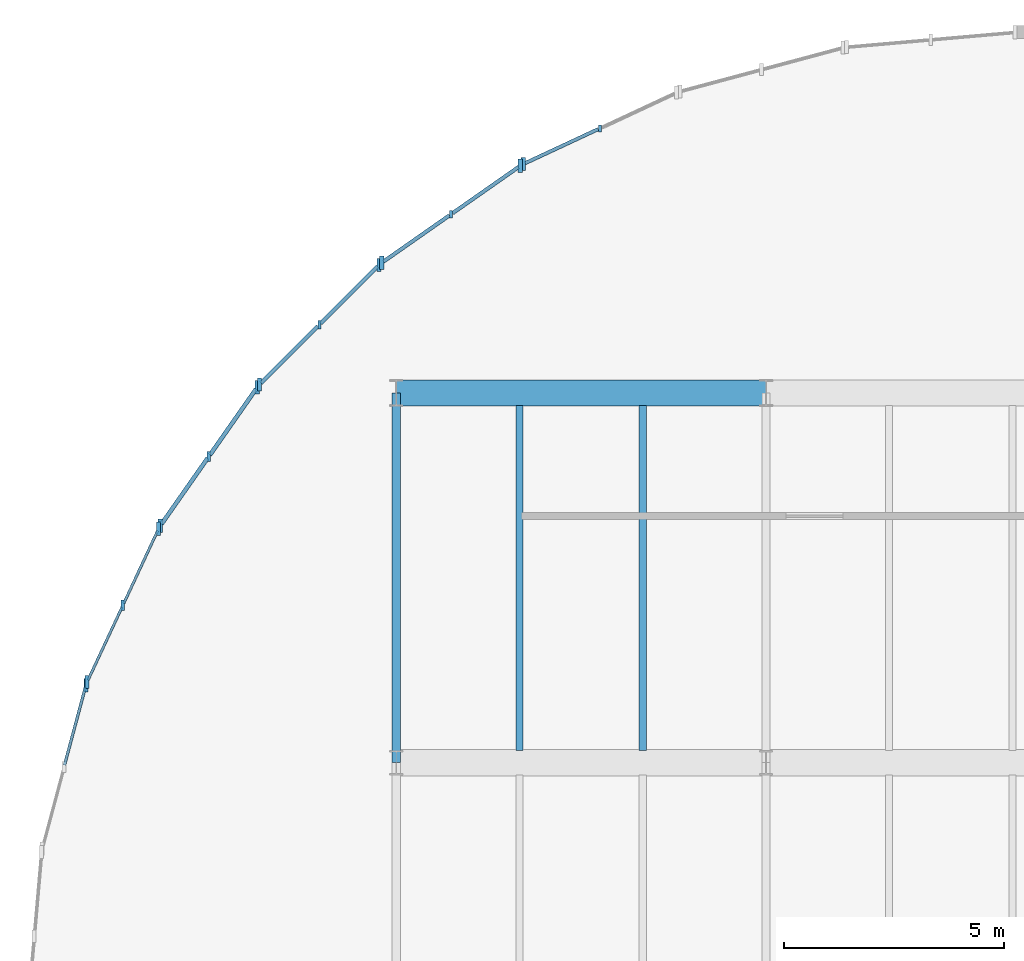
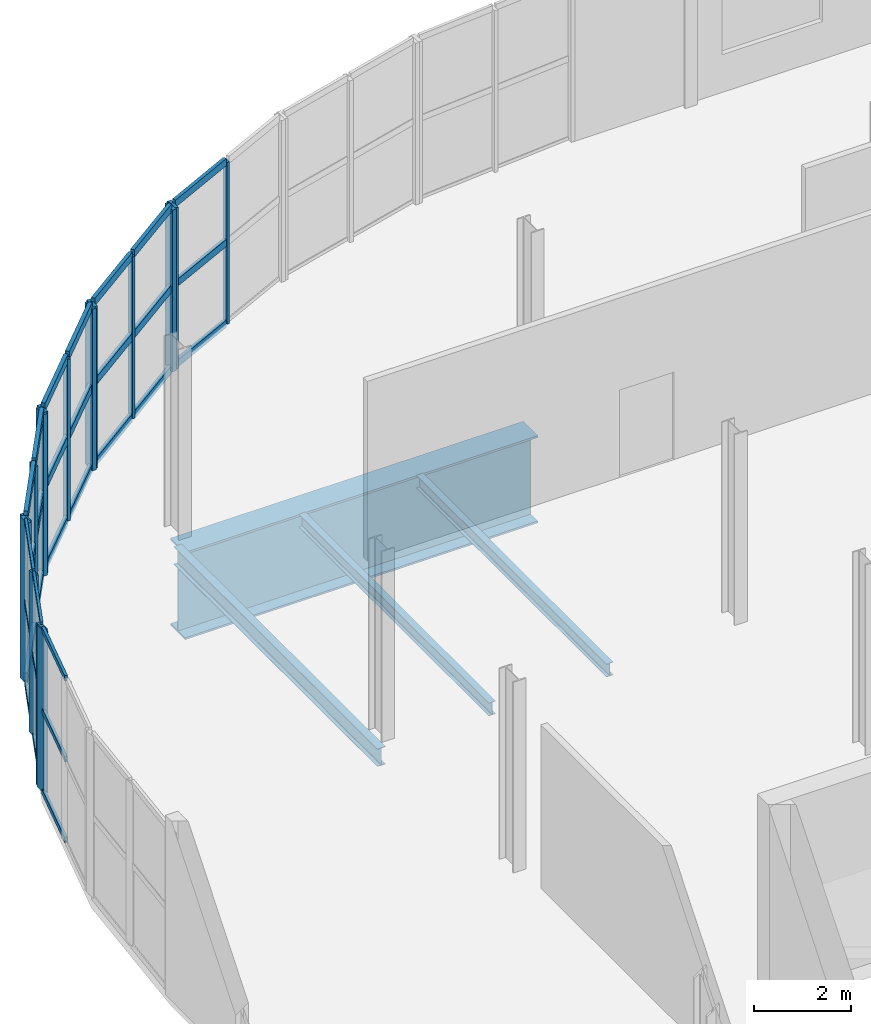
# One storey, part 26 of 63: 45 members, 4 beams, 6 elements without a shape of their own.
"""IFC4 building model written with IfcOpenShell, lengths in metres."""

from ifc_helpers import new_model, si_unit, direction, frame, origin, origin_2d, place, context, subcontext, project, spatial, rectangle, i_section, extrude, material, layer, layer_set, material_profile, profile_set, type_object, element, aggregate, save


model = new_model("IFC4")

# Units and contexts
model_context = context("Model", 3, precision=1e-05, world=origin(), true_north=direction((0.0, 1.0)))
body_context = subcontext(model_context, "Body", "Model", "MODEL_VIEW")
ifc_project = project(units=[si_unit("LENGTHUNIT", "METRE"), si_unit("AREAUNIT", "SQUARE_METRE"), si_unit("VOLUMEUNIT", "CUBIC_METRE"), si_unit("PLANEANGLEUNIT", "RADIAN"), si_unit("MASSUNIT", "GRAM", prefix="KILO")], contexts=[model_context])

# Site, building, storey
site_placement = place(None, origin())
site = spatial("IfcSite", under=ifc_project, at=site_placement, CompositionType="ELEMENT")
building_placement = place(site_placement, origin())
building = spatial("IfcBuilding", under=site, at=building_placement, Name="Sefraquen Railside Congress Hotel", CompositionType="ELEMENT")
storey_placement = place(building_placement, frame((0.0, 0.0, 11.39990234375)))
storey = spatial("IfcBuildingStorey", under=building, at=storey_placement, Name="L02", CompositionType="ELEMENT", Elevation=11.39990234375)

# Beams
ifc_material_1 = material(Name="Steel S355JR", Category="steel")
ifc_material_profile_1 = material_profile(ifc_material_1, i_section(OverallWidth=0.18994140625, OverallDepth=0.449951171875, WebThickness=0.009521484375, FlangeThickness=0.0146484375, FilletRadius=0.02099609375, at=origin_2d()), Name="IPE 450")
ifc_profile_set_1 = profile_set([ifc_material_profile_1], Name="Steel S355JR")
beam_type_1 = type_object("IfcBeamType", Name="TB-BM-450", PredefinedType="BEAM", material=ifc_profile_set_1)
beam_1_placement = place(storey_placement, frame((8.39990234375, 101.39990234375, -0.574951171875), z_axis=(0.0, 1.0, 0.0), x_axis=(-1.0, 0.0, 0.0)))
element("IfcBeam", 1, at=beam_1_placement, inside=storey, type_object=beam_type_1, Name="Floor beam BM-L02-0841", PredefinedType="BEAM", context=body_context, shape_type="SweptSolid", body=[
    extrude(i_section(OverallWidth=0.18994140625, OverallDepth=0.449951171875, WebThickness=0.009521484375, FlangeThickness=0.0146484375, FilletRadius=0.02099609375, at=origin_2d()), origin(), (0.0, 0.0, 1.0), 8.400146484375),
])
ifc_material_profile_2 = material_profile(ifc_material_1, i_section(OverallWidth=0.159912109375, OverallDepth=0.330078125, WebThickness=0.007568359375, FlangeThickness=0.011474609375, FilletRadius=0.01806640625, at=origin_2d()), Name="IPE 330")
ifc_profile_set_2 = profile_set([ifc_material_profile_2], Name="Steel S355JR")
beam_type_2 = type_object("IfcBeamType", Name="TB-JST-330", PredefinedType="JOIST", material=ifc_profile_set_2)
for number, where, z_axis, x_axis, name in (
    (2, (11.199951171875, 101.679931640625, -0.514892578125), (0.0, 1.0, 0.0), (-1.0, 0.0, 0.0), "Composite floor joist BM-L02-J0434"),
    (3, (14.0, 101.679931640625, -0.514892578125), (0.0, 1.0, 0.0), (-1.0, 0.0, 0.0), "Composite floor joist BM-L02-J0435"),
):
    element("IfcBeam", number, at=place(storey_placement, frame(where, z_axis=z_axis, x_axis=x_axis)), inside=storey, type_object=beam_type_2, Name=name, PredefinedType="JOIST", context=body_context, shape_type="SweptSolid", body=[
        extrude(i_section(OverallWidth=0.159912109375, OverallDepth=0.330078125, WebThickness=0.007568359375, FlangeThickness=0.011474609375, FilletRadius=0.01806640625, at=origin_2d()), origin(), (0.0, 0.0, 1.0), 7.840087890625),
    ])
ifc_material_2 = material(Name="Steel S355J2", Category="steel")
ifc_material_profile_3 = material_profile(ifc_material_2, i_section(OverallWidth=0.60009765625, OverallDepth=2.199951171875, WebThickness=0.028076171875, FlangeThickness=0.050048828125, at=origin_2d()), Name="WG 2200x600")
ifc_profile_set_3 = profile_set([ifc_material_profile_3], Name="Steel S355J2")
beam_type_3 = type_object("IfcBeamType", Name="TB-TG-2200", PredefinedType="USERDEFINED", material=ifc_profile_set_3)
beam_2_placement = place(storey_placement, frame((8.39990234375, 109.800048828125, -1.449951171875), z_axis=(1.0, 0.0, 0.0), x_axis=(0.0, 1.0, 0.0)))
element("IfcBeam", 4, at=beam_2_placement, inside=storey, type_object=beam_type_3, Name="Transfer girder BM-L02-0807", ObjectType="TRANSFER GIRDER", PredefinedType="USERDEFINED", context=body_context, shape_type="SweptSolid", body=[
    extrude(i_section(OverallWidth=0.60009765625, OverallDepth=2.199951171875, WebThickness=0.028076171875, FlangeThickness=0.050048828125, at=origin_2d()), origin(), (0.0, 0.0, 1.0), 8.400146484375),
])

# Curtain wall, member
ifc_material_3 = material(Name="Thermally broken anodised aluminium and low-E double glazing", Category="aluminium")
ifc_layer_1 = layer(ifc_material_3, 0.199951171875)
ifc_layer_set_1 = layer_set([ifc_layer_1], Name="Thermally broken anodised aluminium and low-E double glazing")
curtain_wall_type_1 = type_object("IfcCurtainWallType", Name="TCW-UCW-21", PredefinedType="USERDEFINED", material=ifc_layer_set_1)
curtain_wall_1_placement = place(storey_placement, origin())
curtain_wall_1 = element("IfcCurtainWall", 5, at=curtain_wall_1_placement, inside=storey, type_object=curtain_wall_type_1, Name="Rotunda L02 curved curtain wall facet 3", ObjectType="UNITISED CURTAIN WALL", PredefinedType="USERDEFINED")
ifc_material_4 = material(Name="Thermally broken anodised aluminium 6063-T6", Category="aluminium")
ifc_material_profile_4 = material_profile(ifc_material_4, rectangle(XDim=0.06005859375, YDim=0.159912109375, at=origin_2d()), Name="CWM 60x160")
ifc_profile_set_4 = profile_set([ifc_material_profile_4], Name="Thermally broken anodised aluminium 6063-T6")
member_type_1 = type_object("IfcMemberType", Name="TM-CWM-01", PredefinedType="MULLION", material=ifc_profile_set_4)
member_1_placement = place(storey_placement, frame((13.02734375, 115.814208984375, 0.0), z_axis=(0.0, 0.0, 1.0), x_axis=(1.0, 0.0, 0.0)))
member_1 = element("IfcMember", 6, at=member_1_placement, type_object=member_type_1, Name="CW-L02-ROT-03 mullion 2", PredefinedType="MULLION", context=body_context, shape_type="SweptSolid", body=[
    extrude(rectangle(XDim=0.06005859375, YDim=0.159912109375, at=origin_2d()), origin(), (0.0, 0.0, 1.0), 4.070068359375),
])

ifc_layer_2 = layer(ifc_material_3, 0.199951171875)
ifc_layer_set_2 = layer_set([ifc_layer_2], Name="Thermally broken anodised aluminium and low-E double glazing")
curtain_wall_type_2 = type_object("IfcCurtainWallType", Name="TCW-UCW-22", PredefinedType="USERDEFINED", material=ifc_layer_set_2)
curtain_wall_2_placement = place(storey_placement, origin())
curtain_wall_2 = element("IfcCurtainWall", 7, at=curtain_wall_2_placement, inside=storey, type_object=curtain_wall_type_2, Name="Rotunda L02 curved curtain wall facet 4", ObjectType="UNITISED CURTAIN WALL", PredefinedType="USERDEFINED")
ifc_material_profile_5 = material_profile(ifc_material_4, rectangle(XDim=0.06494140625, YDim=0.179931640625, at=origin_2d()), Name="CWM 65x180")
ifc_profile_set_5 = profile_set([ifc_material_profile_5], Name="Thermally broken anodised aluminium 6063-T6")
member_type_2 = type_object("IfcMemberType", Name="TM-CWM-02", PredefinedType="MULLION", material=ifc_profile_set_5)
member_2_placement = place(storey_placement, frame((9.643798828125, 113.86083984375, 0.0), z_axis=(0.0, 0.0, 1.0), x_axis=(1.0, 0.0, 0.0)))
member_2 = element("IfcMember", 8, at=member_2_placement, type_object=member_type_2, Name="CW-L02-ROT-04 mullion 2", PredefinedType="MULLION", context=body_context, shape_type="SweptSolid", body=[
    extrude(rectangle(XDim=0.06494140625, YDim=0.179931640625, at=origin_2d()), origin(), (0.0, 0.0, 1.0), 4.070068359375),
])

ifc_layer_3 = layer(ifc_material_3, 0.199951171875)
ifc_layer_set_3 = layer_set([ifc_layer_3], Name="Thermally broken anodised aluminium and low-E double glazing")
curtain_wall_type_3 = type_object("IfcCurtainWallType", Name="TCW-UCW-23", PredefinedType="USERDEFINED", material=ifc_layer_set_3)
curtain_wall_3_placement = place(storey_placement, origin())
curtain_wall_3 = element("IfcCurtainWall", 9, at=curtain_wall_3_placement, inside=storey, type_object=curtain_wall_type_3, Name="Rotunda L02 curved curtain wall facet 5", ObjectType="UNITISED CURTAIN WALL", PredefinedType="USERDEFINED")
ifc_material_profile_6 = material_profile(ifc_material_4, rectangle(XDim=0.070068359375, YDim=0.199951171875, at=origin_2d()), Name="CWM 70x200")
ifc_profile_set_6 = profile_set([ifc_material_profile_6], Name="Thermally broken anodised aluminium 6063-T6")
member_type_3 = type_object("IfcMemberType", Name="TM-CWM-03", PredefinedType="MULLION", material=ifc_profile_set_6)
member_3_placement = place(storey_placement, frame((6.650634765625, 111.349365234375, 0.0), z_axis=(0.0, 0.0, 1.0), x_axis=(1.0, 0.0, 0.0)))
member_3 = element("IfcMember", 10, at=member_3_placement, type_object=member_type_3, Name="CW-L02-ROT-05 mullion 2", PredefinedType="MULLION", context=body_context, shape_type="SweptSolid", body=[
    extrude(rectangle(XDim=0.070068359375, YDim=0.199951171875, at=origin_2d()), origin(), (0.0, 0.0, 1.0), 4.070068359375),
])

ifc_layer_4 = layer(ifc_material_3, 0.199951171875)
ifc_layer_set_4 = layer_set([ifc_layer_4], Name="Thermally broken anodised aluminium and low-E double glazing")
curtain_wall_type_4 = type_object("IfcCurtainWallType", Name="TCW-UCW-24", PredefinedType="USERDEFINED", material=ifc_layer_set_4)
curtain_wall_4_placement = place(storey_placement, origin())
curtain_wall_4 = element("IfcCurtainWall", 11, at=curtain_wall_4_placement, inside=storey, type_object=curtain_wall_type_4, Name="Rotunda L02 curved curtain wall facet 6", ObjectType="UNITISED CURTAIN WALL", PredefinedType="USERDEFINED")
ifc_material_profile_7 = material_profile(ifc_material_4, rectangle(XDim=0.074951171875, YDim=0.219970703125, at=origin_2d()), Name="CWM 75x220")
ifc_profile_set_7 = profile_set([ifc_material_profile_7], Name="Thermally broken anodised aluminium 6063-T6")
member_type_4 = type_object("IfcMemberType", Name="TM-CWM-04", PredefinedType="MULLION", material=ifc_profile_set_7)
member_4_placement = place(storey_placement, frame((4.13916015625, 108.356201171875, 0.0), z_axis=(0.0, 0.0, 1.0), x_axis=(1.0, 0.0, 0.0)))
member_4 = element("IfcMember", 12, at=member_4_placement, type_object=member_type_4, Name="CW-L02-ROT-06 mullion 2", PredefinedType="MULLION", context=body_context, shape_type="SweptSolid", body=[
    extrude(rectangle(XDim=0.074951171875, YDim=0.219970703125, at=origin_2d()), origin(), (0.0, 0.0, 1.0), 4.070068359375),
])

ifc_layer_5 = layer(ifc_material_3, 0.199951171875)
ifc_layer_set_5 = layer_set([ifc_layer_5], Name="Thermally broken anodised aluminium and low-E double glazing")
curtain_wall_type_5 = type_object("IfcCurtainWallType", Name="TCW-UCW-25", PredefinedType="USERDEFINED", material=ifc_layer_set_5)
curtain_wall_5_placement = place(storey_placement, origin())
curtain_wall_5 = element("IfcCurtainWall", 13, at=curtain_wall_5_placement, inside=storey, type_object=curtain_wall_type_5, Name="Rotunda L02 curved curtain wall facet 7", ObjectType="UNITISED CURTAIN WALL", PredefinedType="USERDEFINED")
ifc_material_profile_8 = material_profile(ifc_material_4, rectangle(XDim=0.080078125, YDim=0.239990234375, at=origin_2d()), Name="CWM 80x240")
ifc_profile_set_8 = profile_set([ifc_material_profile_8], Name="Thermally broken anodised aluminium 6063-T6")
member_type_5 = type_object("IfcMemberType", Name="TM-CWM-05", PredefinedType="MULLION", material=ifc_profile_set_8)
member_5_placement = place(storey_placement, frame((2.185546875, 104.972900390625, 0.0), z_axis=(0.0, 0.0, 1.0), x_axis=(1.0, 0.0, 0.0)))
member_5 = element("IfcMember", 14, at=member_5_placement, type_object=member_type_5, Name="CW-L02-ROT-07 mullion 2", PredefinedType="MULLION", context=body_context, shape_type="SweptSolid", body=[
    extrude(rectangle(XDim=0.080078125, YDim=0.239990234375, at=origin_2d()), origin(), (0.0, 0.0, 1.0), 4.070068359375),
])

# Member
ifc_material_profile_9 = material_profile(ifc_material_4, rectangle(XDim=0.094970703125, YDim=0.300048828125, at=origin_2d()), Name="CWM 95x300")
ifc_profile_set_9 = profile_set([ifc_material_profile_9], Name="Thermally broken anodised aluminium 6063-T6")
member_type_6 = type_object("IfcMemberType", Name="TM-CWM-08", PredefinedType="MULLION", material=ifc_profile_set_9)
member_6_placement = place(storey_placement, frame((11.286376953125, 115.00244140625, 0.0), z_axis=(0.0, 0.0, 1.0), x_axis=(1.0, 0.0, 0.0)))
member_6 = element("IfcMember", 15, at=member_6_placement, type_object=member_type_6, Name="CW-L02-ROT-03 mullion 3", PredefinedType="MULLION", context=body_context, shape_type="SweptSolid", body=[
    extrude(rectangle(XDim=0.094970703125, YDim=0.300048828125, at=origin_2d()), origin(), (0.0, 0.0, 1.0), 4.070068359375),
])

member_7_placement = place(storey_placement, frame((11.21728515625, 114.962646484375, 0.0), z_axis=(0.0, 0.0, 1.0), x_axis=(1.0, 0.0, 0.0)))
member_7 = element("IfcMember", 16, at=member_7_placement, type_object=member_type_6, Name="CW-L02-ROT-04 mullion 1", PredefinedType="MULLION", context=body_context, shape_type="SweptSolid", body=[
    extrude(rectangle(XDim=0.094970703125, YDim=0.300048828125, at=origin_2d()), origin(), (0.0, 0.0, 1.0), 4.070068359375),
])

member_8_placement = place(storey_placement, frame((8.070068359375, 112.7587890625, 0.0), z_axis=(0.0, 0.0, 1.0), x_axis=(1.0, 0.0, 0.0)))
member_8 = element("IfcMember", 17, at=member_8_placement, type_object=member_type_6, Name="CW-L02-ROT-04 mullion 3", PredefinedType="MULLION", context=body_context, shape_type="SweptSolid", body=[
    extrude(rectangle(XDim=0.094970703125, YDim=0.300048828125, at=origin_2d()), origin(), (0.0, 0.0, 1.0), 4.070068359375),
])

member_9_placement = place(storey_placement, frame((8.009033203125, 112.707763671875, 0.0), z_axis=(0.0, 0.0, 1.0), x_axis=(1.0, 0.0, 0.0)))
member_9 = element("IfcMember", 18, at=member_9_placement, type_object=member_type_6, Name="CW-L02-ROT-05 mullion 1", PredefinedType="MULLION", context=body_context, shape_type="SweptSolid", body=[
    extrude(rectangle(XDim=0.094970703125, YDim=0.300048828125, at=origin_2d()), origin(), (0.0, 0.0, 1.0), 4.070068359375),
])

member_10_placement = place(storey_placement, frame((5.292236328125, 109.990966796875, 0.0), z_axis=(0.0, 0.0, 1.0), x_axis=(1.0, 0.0, 0.0)))
member_10 = element("IfcMember", 19, at=member_10_placement, type_object=member_type_6, Name="CW-L02-ROT-05 mullion 3", PredefinedType="MULLION", context=body_context, shape_type="SweptSolid", body=[
    extrude(rectangle(XDim=0.094970703125, YDim=0.300048828125, at=origin_2d()), origin(), (0.0, 0.0, 1.0), 4.070068359375),
])

member_11_placement = place(storey_placement, frame((5.2412109375, 109.929931640625, 0.0), z_axis=(0.0, 0.0, 1.0), x_axis=(1.0, 0.0, 0.0)))
member_11 = element("IfcMember", 20, at=member_11_placement, type_object=member_type_6, Name="CW-L02-ROT-06 mullion 1", PredefinedType="MULLION", context=body_context, shape_type="SweptSolid", body=[
    extrude(rectangle(XDim=0.094970703125, YDim=0.300048828125, at=origin_2d()), origin(), (0.0, 0.0, 1.0), 4.070068359375),
])

member_12_placement = place(storey_placement, frame((3.037353515625, 106.78271484375, 0.0), z_axis=(0.0, 0.0, 1.0), x_axis=(1.0, 0.0, 0.0)))
member_12 = element("IfcMember", 21, at=member_12_placement, type_object=member_type_6, Name="CW-L02-ROT-06 mullion 3", PredefinedType="MULLION", context=body_context, shape_type="SweptSolid", body=[
    extrude(rectangle(XDim=0.094970703125, YDim=0.300048828125, at=origin_2d()), origin(), (0.0, 0.0, 1.0), 4.070068359375),
])

member_13_placement = place(storey_placement, frame((2.99755859375, 106.713623046875, 0.0), z_axis=(0.0, 0.0, 1.0), x_axis=(1.0, 0.0, 0.0)))
member_13 = element("IfcMember", 22, at=member_13_placement, type_object=member_type_6, Name="CW-L02-ROT-07 mullion 1", PredefinedType="MULLION", context=body_context, shape_type="SweptSolid", body=[
    extrude(rectangle(XDim=0.094970703125, YDim=0.300048828125, at=origin_2d()), origin(), (0.0, 0.0, 1.0), 4.070068359375),
])

member_14_placement = place(storey_placement, frame((1.373779296875, 103.231689453125, 0.0), z_axis=(0.0, 0.0, 1.0), x_axis=(1.0, 0.0, 0.0)))
member_14 = element("IfcMember", 23, at=member_14_placement, type_object=member_type_6, Name="CW-L02-ROT-07 mullion 3", PredefinedType="MULLION", context=body_context, shape_type="SweptSolid", body=[
    extrude(rectangle(XDim=0.094970703125, YDim=0.300048828125, at=origin_2d()), origin(), (0.0, 0.0, 1.0), 4.070068359375),
])

# Curtain wall, member
ifc_layer_6 = layer(ifc_material_3, 0.199951171875)
ifc_layer_set_6 = layer_set([ifc_layer_6], Name="Thermally broken anodised aluminium and low-E double glazing")
curtain_wall_type_6 = type_object("IfcCurtainWallType", Name="TCW-UCW-26", PredefinedType="USERDEFINED", material=ifc_layer_set_6)
curtain_wall_6_placement = place(storey_placement, origin())
curtain_wall_6 = element("IfcCurtainWall", 24, at=curtain_wall_6_placement, inside=storey, type_object=curtain_wall_type_6, Name="Rotunda L02 curved curtain wall facet 8", ObjectType="UNITISED CURTAIN WALL", PredefinedType="USERDEFINED")
member_15_placement = place(storey_placement, frame((1.346435546875, 103.156982421875, 0.0), z_axis=(0.0, 0.0, 1.0), x_axis=(1.0, 0.0, 0.0)))
member_15 = element("IfcMember", 25, at=member_15_placement, type_object=member_type_6, Name="CW-L02-ROT-08 mullion 1", PredefinedType="MULLION", context=body_context, shape_type="SweptSolid", body=[
    extrude(rectangle(XDim=0.094970703125, YDim=0.300048828125, at=origin_2d()), origin(), (0.0, 0.0, 1.0), 4.070068359375),
])

# Member
ifc_material_profile_10 = material_profile(ifc_material_4, rectangle(XDim=0.06005859375, YDim=0.1201171875, at=origin_2d()), Name="CWT 60x120")
ifc_profile_set_10 = profile_set([ifc_material_profile_10], Name="Thermally broken anodised aluminium 6063-T6")
member_type_7 = type_object("IfcMemberType", Name="TM-CWT-01", PredefinedType="USERDEFINED", material=ifc_profile_set_10)
member_16_placement = place(storey_placement, frame((2.978515625, 106.6728515625, 0.0), z_axis=(-0.422673771403, -0.906281900386, 0.0), x_axis=(0.906281900386, -0.422673771403, 0.0)))
member_16 = element("IfcMember", 26, at=member_16_placement, type_object=member_type_7, Name="CW-L02-ROT-07 transom 1.1", ObjectType="TRANSOM", PredefinedType="USERDEFINED", context=body_context, shape_type="SweptSolid", body=[
    extrude(rectangle(XDim=0.06005859375, YDim=0.1201171875, at=origin_2d()), origin(), (0.0, 0.0, 1.0), 1.8310546875),
])

member_17_placement = place(storey_placement, frame((2.166748046875, 104.931884765625, 0.0), z_axis=(-0.422724852641, -0.906258075252, 0.0), x_axis=(0.906258075252, -0.422724852641, 0.0)))
member_17 = element("IfcMember", 27, at=member_17_placement, type_object=member_type_7, Name="CW-L02-ROT-07 transom 1.2", ObjectType="TRANSOM", PredefinedType="USERDEFINED", context=body_context, shape_type="SweptSolid", body=[
    extrude(rectangle(XDim=0.06005859375, YDim=0.1201171875, at=origin_2d()), origin(), (0.0, 0.0, 1.0), 1.830810546875),
])

member_18_placement = place(storey_placement, frame((2.978515625, 106.6728515625, 2.03515625), z_axis=(-0.422673771403, -0.906281900386, 0.0), x_axis=(0.906281900386, -0.422673771403, 0.0)))
member_18 = element("IfcMember", 28, at=member_18_placement, type_object=member_type_7, Name="CW-L02-ROT-07 transom 2.1", ObjectType="TRANSOM", PredefinedType="USERDEFINED", context=body_context, shape_type="SweptSolid", body=[
    extrude(rectangle(XDim=0.06005859375, YDim=0.1201171875, at=origin_2d()), origin(), (0.0, 0.0, 1.0), 1.8310546875),
])

member_19_placement = place(storey_placement, frame((2.166748046875, 104.931884765625, 2.03515625), z_axis=(-0.422724852641, -0.906258075252, 0.0), x_axis=(0.906258075252, -0.422724852641, 0.0)))
member_19 = element("IfcMember", 29, at=member_19_placement, type_object=member_type_7, Name="CW-L02-ROT-07 transom 2.2", ObjectType="TRANSOM", PredefinedType="USERDEFINED", context=body_context, shape_type="SweptSolid", body=[
    extrude(rectangle(XDim=0.06005859375, YDim=0.1201171875, at=origin_2d()), origin(), (0.0, 0.0, 1.0), 1.830810546875),
])

member_20_placement = place(storey_placement, frame((2.978515625, 106.6728515625, 4.070068359375), z_axis=(-0.422673771403, -0.906281900386, 0.0), x_axis=(0.906281900386, -0.422673771403, 0.0)))
member_20 = element("IfcMember", 30, at=member_20_placement, type_object=member_type_7, Name="CW-L02-ROT-07 transom 3.1", ObjectType="TRANSOM", PredefinedType="USERDEFINED", context=body_context, shape_type="SweptSolid", body=[
    extrude(rectangle(XDim=0.06005859375, YDim=0.1201171875, at=origin_2d()), origin(), (0.0, 0.0, 1.0), 1.8310546875),
])

member_21_placement = place(storey_placement, frame((2.166748046875, 104.931884765625, 4.070068359375), z_axis=(-0.422724852641, -0.906258075252, 0.0), x_axis=(0.906258075252, -0.422724852641, 0.0)))
member_21 = element("IfcMember", 31, at=member_21_placement, type_object=member_type_7, Name="CW-L02-ROT-07 transom 3.2", ObjectType="TRANSOM", PredefinedType="USERDEFINED", context=body_context, shape_type="SweptSolid", body=[
    extrude(rectangle(XDim=0.06005859375, YDim=0.1201171875, at=origin_2d()), origin(), (0.0, 0.0, 1.0), 1.830810546875),
])

aggregate(curtain_wall_5, [member_13, member_5, member_14, member_16, member_17, member_18, member_19, member_20, member_21])

ifc_material_profile_11 = material_profile(ifc_material_4, rectangle(XDim=0.06494140625, YDim=0.135009765625, at=origin_2d()), Name="CWT 65x135")
ifc_profile_set_11 = profile_set([ifc_material_profile_11], Name="Thermally broken anodised aluminium 6063-T6")
member_type_8 = type_object("IfcMemberType", Name="TM-CWT-02", PredefinedType="USERDEFINED", material=ifc_profile_set_11)
member_22_placement = place(storey_placement, frame((1.3349609375, 103.11328125, 0.0), z_axis=(-0.25894046868, -0.965893282759, 0.0), x_axis=(0.965893282759, -0.25894046868, 0.0)))
member_22 = element("IfcMember", 32, at=member_22_placement, type_object=member_type_8, Name="CW-L02-ROT-08 transom 1.1", ObjectType="TRANSOM", PredefinedType="USERDEFINED", context=body_context, shape_type="SweptSolid", body=[
    extrude(rectangle(XDim=0.06494140625, YDim=0.135009765625, at=origin_2d()), origin(), (0.0, 0.0, 1.0), 1.8310546875),
])

member_23_placement = place(storey_placement, frame((1.3349609375, 103.11328125, 2.03515625), z_axis=(-0.25894046868, -0.965893282759, 0.0), x_axis=(0.965893282759, -0.25894046868, 0.0)))
member_23 = element("IfcMember", 33, at=member_23_placement, type_object=member_type_8, Name="CW-L02-ROT-08 transom 2.1", ObjectType="TRANSOM", PredefinedType="USERDEFINED", context=body_context, shape_type="SweptSolid", body=[
    extrude(rectangle(XDim=0.06494140625, YDim=0.135009765625, at=origin_2d()), origin(), (0.0, 0.0, 1.0), 1.8310546875),
])

member_24_placement = place(storey_placement, frame((1.3349609375, 103.11328125, 4.070068359375), z_axis=(-0.25894046868, -0.965893282759, 0.0), x_axis=(0.965893282759, -0.25894046868, 0.0)))
member_24 = element("IfcMember", 34, at=member_24_placement, type_object=member_type_8, Name="CW-L02-ROT-08 transom 3.1", ObjectType="TRANSOM", PredefinedType="USERDEFINED", context=body_context, shape_type="SweptSolid", body=[
    extrude(rectangle(XDim=0.06494140625, YDim=0.135009765625, at=origin_2d()), origin(), (0.0, 0.0, 1.0), 1.8310546875),
])

aggregate(curtain_wall_6, [member_15, member_22, member_23, member_24])

ifc_material_profile_12 = material_profile(ifc_material_4, rectangle(XDim=0.080078125, YDim=0.179931640625, at=origin_2d()), Name="CWT 80x180")
ifc_profile_set_12 = profile_set([ifc_material_profile_12], Name="Thermally broken anodised aluminium 6063-T6")
member_type_9 = type_object("IfcMemberType", Name="TM-CWT-05", PredefinedType="USERDEFINED", material=ifc_profile_set_12)
member_25_placement = place(storey_placement, frame((12.986572265625, 115.79541015625, 0.0), z_axis=(-0.906281900386, -0.422673771403, 0.0), x_axis=(0.422673771403, -0.906281900386, 0.0)))
member_25 = element("IfcMember", 35, at=member_25_placement, type_object=member_type_9, Name="CW-L02-ROT-03 transom 1.2", ObjectType="TRANSOM", PredefinedType="USERDEFINED", context=body_context, shape_type="SweptSolid", body=[
    extrude(rectangle(XDim=0.080078125, YDim=0.179931640625, at=origin_2d()), origin(), (0.0, 0.0, 1.0), 1.8310546875),
])

member_26_placement = place(storey_placement, frame((12.986572265625, 115.79541015625, 2.03515625), z_axis=(-0.906281900386, -0.422673771403, 0.0), x_axis=(0.422673771403, -0.906281900386, 0.0)))
member_26 = element("IfcMember", 36, at=member_26_placement, type_object=member_type_9, Name="CW-L02-ROT-03 transom 2.2", ObjectType="TRANSOM", PredefinedType="USERDEFINED", context=body_context, shape_type="SweptSolid", body=[
    extrude(rectangle(XDim=0.080078125, YDim=0.179931640625, at=origin_2d()), origin(), (0.0, 0.0, 1.0), 1.8310546875),
])

member_27_placement = place(storey_placement, frame((12.986572265625, 115.79541015625, 4.070068359375), z_axis=(-0.906281900386, -0.422673771403, 0.0), x_axis=(0.422673771403, -0.906281900386, 0.0)))
member_27 = element("IfcMember", 37, at=member_27_placement, type_object=member_type_9, Name="CW-L02-ROT-03 transom 3.2", ObjectType="TRANSOM", PredefinedType="USERDEFINED", context=body_context, shape_type="SweptSolid", body=[
    extrude(rectangle(XDim=0.080078125, YDim=0.179931640625, at=origin_2d()), origin(), (0.0, 0.0, 1.0), 1.8310546875),
])

aggregate(curtain_wall_1, [member_1, member_6, member_25, member_26, member_27])

ifc_material_profile_13 = material_profile(ifc_material_4, rectangle(XDim=0.0849609375, YDim=0.195068359375, at=origin_2d()), Name="CWT 85x195")
ifc_profile_set_13 = profile_set([ifc_material_profile_13], Name="Thermally broken anodised aluminium 6063-T6")
member_type_10 = type_object("IfcMemberType", Name="TM-CWT-06", PredefinedType="USERDEFINED", material=ifc_profile_set_13)
member_28_placement = place(storey_placement, frame((11.180419921875, 114.93701171875, 0.0), z_axis=(-0.819156749665, -0.573569716318, 0.0), x_axis=(0.573569716318, -0.819156749665, 0.0)))
member_28 = element("IfcMember", 38, at=member_28_placement, type_object=member_type_10, Name="CW-L02-ROT-04 transom 1.1", ObjectType="TRANSOM", PredefinedType="USERDEFINED", context=body_context, shape_type="SweptSolid", body=[
    extrude(rectangle(XDim=0.0849609375, YDim=0.195068359375, at=origin_2d()), origin(), (0.0, 0.0, 1.0), 1.8310546875),
])

member_29_placement = place(storey_placement, frame((9.606689453125, 113.8349609375, 0.0), z_axis=(-0.819175533227, -0.573542889209, 0.0), x_axis=(0.573542889209, -0.819175533227, 0.0)))
member_29 = element("IfcMember", 39, at=member_29_placement, type_object=member_type_10, Name="CW-L02-ROT-04 transom 1.2", ObjectType="TRANSOM", PredefinedType="USERDEFINED", context=body_context, shape_type="SweptSolid", body=[
    extrude(rectangle(XDim=0.0849609375, YDim=0.195068359375, at=origin_2d()), origin(), (0.0, 0.0, 1.0), 1.830810546875),
])

member_30_placement = place(storey_placement, frame((11.180419921875, 114.93701171875, 2.03515625), z_axis=(-0.819156749665, -0.573569716318, 0.0), x_axis=(0.573569716318, -0.819156749665, 0.0)))
member_30 = element("IfcMember", 40, at=member_30_placement, type_object=member_type_10, Name="CW-L02-ROT-04 transom 2.1", ObjectType="TRANSOM", PredefinedType="USERDEFINED", context=body_context, shape_type="SweptSolid", body=[
    extrude(rectangle(XDim=0.0849609375, YDim=0.195068359375, at=origin_2d()), origin(), (0.0, 0.0, 1.0), 1.8310546875),
])

member_31_placement = place(storey_placement, frame((9.606689453125, 113.8349609375, 2.03515625), z_axis=(-0.819175533227, -0.573542889209, 0.0), x_axis=(0.573542889209, -0.819175533227, 0.0)))
member_31 = element("IfcMember", 41, at=member_31_placement, type_object=member_type_10, Name="CW-L02-ROT-04 transom 2.2", ObjectType="TRANSOM", PredefinedType="USERDEFINED", context=body_context, shape_type="SweptSolid", body=[
    extrude(rectangle(XDim=0.0849609375, YDim=0.195068359375, at=origin_2d()), origin(), (0.0, 0.0, 1.0), 1.830810546875),
])

member_32_placement = place(storey_placement, frame((11.180419921875, 114.93701171875, 4.070068359375), z_axis=(-0.819156749665, -0.573569716318, 0.0), x_axis=(0.573569716318, -0.819156749665, 0.0)))
member_32 = element("IfcMember", 42, at=member_32_placement, type_object=member_type_10, Name="CW-L02-ROT-04 transom 3.1", ObjectType="TRANSOM", PredefinedType="USERDEFINED", context=body_context, shape_type="SweptSolid", body=[
    extrude(rectangle(XDim=0.0849609375, YDim=0.195068359375, at=origin_2d()), origin(), (0.0, 0.0, 1.0), 1.8310546875),
])

member_33_placement = place(storey_placement, frame((9.606689453125, 113.8349609375, 4.070068359375), z_axis=(-0.819175533227, -0.573542889209, 0.0), x_axis=(0.573542889209, -0.819175533227, 0.0)))
member_33 = element("IfcMember", 43, at=member_33_placement, type_object=member_type_10, Name="CW-L02-ROT-04 transom 3.2", ObjectType="TRANSOM", PredefinedType="USERDEFINED", context=body_context, shape_type="SweptSolid", body=[
    extrude(rectangle(XDim=0.0849609375, YDim=0.195068359375, at=origin_2d()), origin(), (0.0, 0.0, 1.0), 1.830810546875),
])

aggregate(curtain_wall_2, [member_7, member_2, member_8, member_28, member_29, member_30, member_31, member_32, member_33])

ifc_material_profile_14 = material_profile(ifc_material_4, rectangle(XDim=0.090087890625, YDim=0.2099609375, at=origin_2d()), Name="CWT 90x210")
ifc_profile_set_14 = profile_set([ifc_material_profile_14], Name="Thermally broken anodised aluminium 6063-T6")
member_type_11 = type_object("IfcMemberType", Name="TM-CWT-07", PredefinedType="USERDEFINED", material=ifc_profile_set_14)
member_34_placement = place(storey_placement, frame((7.977294921875, 112.67578125, 0.0), z_axis=(-0.707106781187, -0.707106781187, 0.0), x_axis=(0.707106781187, -0.707106781187, 0.0)))
member_34 = element("IfcMember", 44, at=member_34_placement, type_object=member_type_11, Name="CW-L02-ROT-05 transom 1.1", ObjectType="TRANSOM", PredefinedType="USERDEFINED", context=body_context, shape_type="SweptSolid", body=[
    extrude(rectangle(XDim=0.090087890625, YDim=0.2099609375, at=origin_2d()), origin(), (0.0, 0.0, 1.0), 1.8310546875),
])

member_35_placement = place(storey_placement, frame((6.618896484375, 111.3173828125, 0.0), z_axis=(-0.707106781187, -0.707106781187, 0.0), x_axis=(0.707106781187, -0.707106781187, 0.0)))
member_35 = element("IfcMember", 45, at=member_35_placement, type_object=member_type_11, Name="CW-L02-ROT-05 transom 1.2", ObjectType="TRANSOM", PredefinedType="USERDEFINED", context=body_context, shape_type="SweptSolid", body=[
    extrude(rectangle(XDim=0.090087890625, YDim=0.2099609375, at=origin_2d()), origin(), (0.0, 0.0, 1.0), 1.8310546875),
])

member_36_placement = place(storey_placement, frame((7.977294921875, 112.67578125, 2.03515625), z_axis=(-0.707106781187, -0.707106781187, 0.0), x_axis=(0.707106781187, -0.707106781187, 0.0)))
member_36 = element("IfcMember", 46, at=member_36_placement, type_object=member_type_11, Name="CW-L02-ROT-05 transom 2.1", ObjectType="TRANSOM", PredefinedType="USERDEFINED", context=body_context, shape_type="SweptSolid", body=[
    extrude(rectangle(XDim=0.090087890625, YDim=0.2099609375, at=origin_2d()), origin(), (0.0, 0.0, 1.0), 1.8310546875),
])

member_37_placement = place(storey_placement, frame((6.618896484375, 111.3173828125, 2.03515625), z_axis=(-0.707106781187, -0.707106781187, 0.0), x_axis=(0.707106781187, -0.707106781187, 0.0)))
member_37 = element("IfcMember", 47, at=member_37_placement, type_object=member_type_11, Name="CW-L02-ROT-05 transom 2.2", ObjectType="TRANSOM", PredefinedType="USERDEFINED", context=body_context, shape_type="SweptSolid", body=[
    extrude(rectangle(XDim=0.090087890625, YDim=0.2099609375, at=origin_2d()), origin(), (0.0, 0.0, 1.0), 1.8310546875),
])

member_38_placement = place(storey_placement, frame((7.977294921875, 112.67578125, 4.070068359375), z_axis=(-0.707106781187, -0.707106781187, 0.0), x_axis=(0.707106781187, -0.707106781187, 0.0)))
member_38 = element("IfcMember", 48, at=member_38_placement, type_object=member_type_11, Name="CW-L02-ROT-05 transom 3.1", ObjectType="TRANSOM", PredefinedType="USERDEFINED", context=body_context, shape_type="SweptSolid", body=[
    extrude(rectangle(XDim=0.090087890625, YDim=0.2099609375, at=origin_2d()), origin(), (0.0, 0.0, 1.0), 1.8310546875),
])

member_39_placement = place(storey_placement, frame((6.618896484375, 111.3173828125, 4.070068359375), z_axis=(-0.707106781187, -0.707106781187, 0.0), x_axis=(0.707106781187, -0.707106781187, 0.0)))
member_39 = element("IfcMember", 49, at=member_39_placement, type_object=member_type_11, Name="CW-L02-ROT-05 transom 3.2", ObjectType="TRANSOM", PredefinedType="USERDEFINED", context=body_context, shape_type="SweptSolid", body=[
    extrude(rectangle(XDim=0.090087890625, YDim=0.2099609375, at=origin_2d()), origin(), (0.0, 0.0, 1.0), 1.8310546875),
])

aggregate(curtain_wall_3, [member_9, member_3, member_10, member_34, member_35, member_36, member_37, member_38, member_39])

ifc_material_profile_15 = material_profile(ifc_material_4, rectangle(XDim=0.094970703125, YDim=0.22509765625, at=origin_2d()), Name="CWT 95x225")
ifc_profile_set_15 = profile_set([ifc_material_profile_15], Name="Thermally broken anodised aluminium 6063-T6")
member_type_12 = type_object("IfcMemberType", Name="TM-CWT-08", PredefinedType="USERDEFINED", material=ifc_profile_set_15)
member_40_placement = place(storey_placement, frame((5.21533203125, 109.89306640625, 0.0), z_axis=(-0.573632363976, -0.819112880499, 0.0), x_axis=(0.819112880499, -0.573632363976, 0.0)))
member_40 = element("IfcMember", 50, at=member_40_placement, type_object=member_type_12, Name="CW-L02-ROT-06 transom 1.1", ObjectType="TRANSOM", PredefinedType="USERDEFINED", context=body_context, shape_type="SweptSolid", body=[
    extrude(rectangle(XDim=0.094970703125, YDim=0.22509765625, at=origin_2d()), origin(), (0.0, 0.0, 1.0), 1.8310546875),
])

member_41_placement = place(storey_placement, frame((4.11328125, 108.319580078125, 0.0), z_axis=(-0.573480241742, -0.819219392063, 0.0), x_axis=(0.819219392063, -0.573480241742, 0.0)))
member_41 = element("IfcMember", 51, at=member_41_placement, type_object=member_type_12, Name="CW-L02-ROT-06 transom 1.2", ObjectType="TRANSOM", PredefinedType="USERDEFINED", context=body_context, shape_type="SweptSolid", body=[
    extrude(rectangle(XDim=0.094970703125, YDim=0.22509765625, at=origin_2d()), origin(), (0.0, 0.0, 1.0), 1.8310546875),
])

member_42_placement = place(storey_placement, frame((5.21533203125, 109.89306640625, 2.03515625), z_axis=(-0.573632363976, -0.819112880499, 0.0), x_axis=(0.819112880499, -0.573632363976, 0.0)))
member_42 = element("IfcMember", 52, at=member_42_placement, type_object=member_type_12, Name="CW-L02-ROT-06 transom 2.1", ObjectType="TRANSOM", PredefinedType="USERDEFINED", context=body_context, shape_type="SweptSolid", body=[
    extrude(rectangle(XDim=0.094970703125, YDim=0.22509765625, at=origin_2d()), origin(), (0.0, 0.0, 1.0), 1.8310546875),
])

member_43_placement = place(storey_placement, frame((4.11328125, 108.319580078125, 2.03515625), z_axis=(-0.573480241742, -0.819219392063, 0.0), x_axis=(0.819219392063, -0.573480241742, 0.0)))
member_43 = element("IfcMember", 53, at=member_43_placement, type_object=member_type_12, Name="CW-L02-ROT-06 transom 2.2", ObjectType="TRANSOM", PredefinedType="USERDEFINED", context=body_context, shape_type="SweptSolid", body=[
    extrude(rectangle(XDim=0.094970703125, YDim=0.22509765625, at=origin_2d()), origin(), (0.0, 0.0, 1.0), 1.8310546875),
])

member_44_placement = place(storey_placement, frame((5.21533203125, 109.89306640625, 4.070068359375), z_axis=(-0.573632363976, -0.819112880499, 0.0), x_axis=(0.819112880499, -0.573632363976, 0.0)))
member_44 = element("IfcMember", 54, at=member_44_placement, type_object=member_type_12, Name="CW-L02-ROT-06 transom 3.1", ObjectType="TRANSOM", PredefinedType="USERDEFINED", context=body_context, shape_type="SweptSolid", body=[
    extrude(rectangle(XDim=0.094970703125, YDim=0.22509765625, at=origin_2d()), origin(), (0.0, 0.0, 1.0), 1.8310546875),
])

member_45_placement = place(storey_placement, frame((4.11328125, 108.319580078125, 4.070068359375), z_axis=(-0.573480241742, -0.819219392063, 0.0), x_axis=(0.819219392063, -0.573480241742, 0.0)))
member_45 = element("IfcMember", 55, at=member_45_placement, type_object=member_type_12, Name="CW-L02-ROT-06 transom 3.2", ObjectType="TRANSOM", PredefinedType="USERDEFINED", context=body_context, shape_type="SweptSolid", body=[
    extrude(rectangle(XDim=0.094970703125, YDim=0.22509765625, at=origin_2d()), origin(), (0.0, 0.0, 1.0), 1.8310546875),
])

aggregate(curtain_wall_4, [member_11, member_4, member_12, member_40, member_41, member_42, member_43, member_44, member_45])

save(model, "model.ifc")
